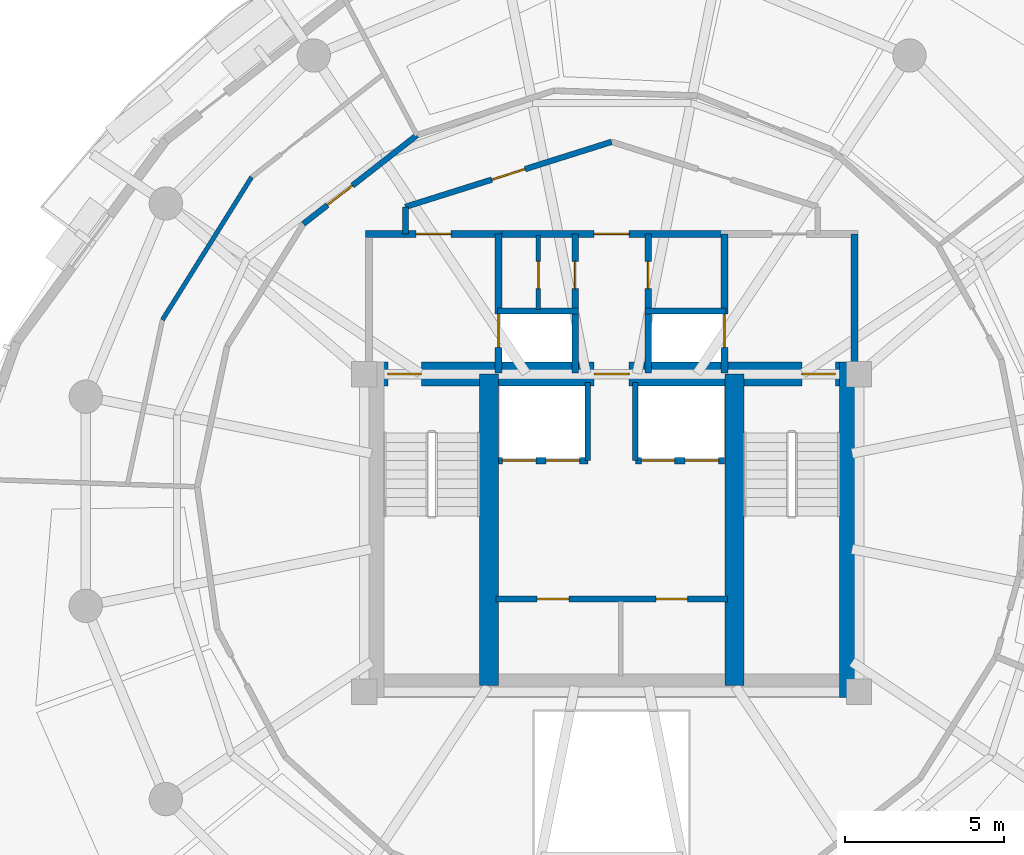
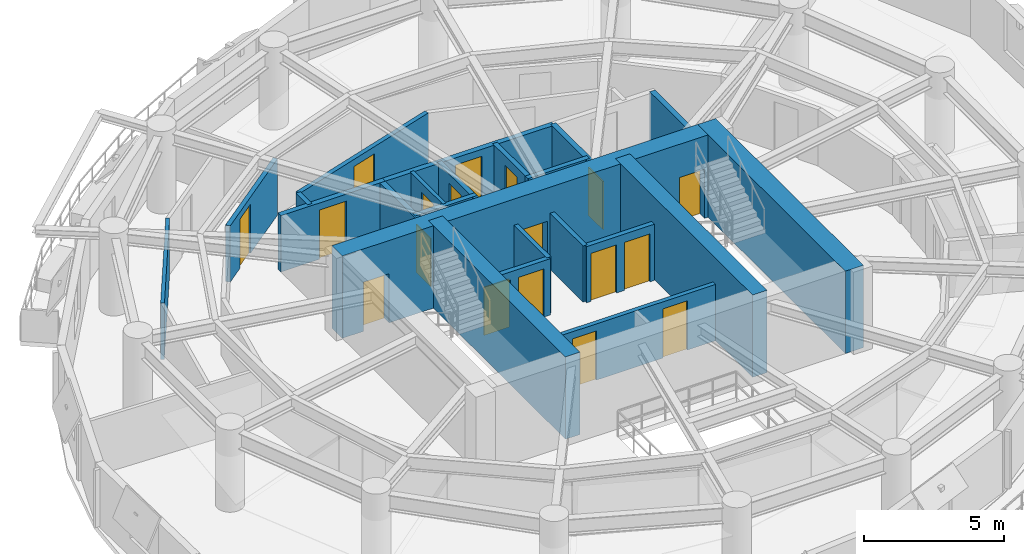
# One storey, part 8 of 12: 23 walls, 18 doors, 18 openings.
"""IFC4 building model written with IfcOpenShell, lengths in metres."""

from ifc_helpers import new_model, si_unit, direction, frame, frame_2d, origin, place, context, subcontext, project, spatial, rectangle, extrude, material, layer, layer_set, type_object, element, fill, save


model = new_model("IFC4")

# Units and contexts
model_context = context("Model", 3, precision=1e-05, world=origin(), true_north=direction((0.0, 1.0)))
body_context = subcontext(model_context, "Body", "Model", "MODEL_VIEW")
ifc_project = project(units=[si_unit("LENGTHUNIT", "METRE"), si_unit("AREAUNIT", "SQUARE_METRE"), si_unit("VOLUMEUNIT", "CUBIC_METRE"), si_unit("PLANEANGLEUNIT", "RADIAN"), si_unit("MASSUNIT", "GRAM", prefix="KILO"), si_unit("THERMODYNAMICTEMPERATUREUNIT", "KELVIN"), si_unit("POWERUNIT", "WATT")], contexts=[model_context])

# Site, building, storey
site_placement = place(None, origin())
site = spatial("IfcSite", under=ifc_project, at=site_placement, CompositionType="ELEMENT")
building_placement = place(site_placement, origin())
building = spatial("IfcBuilding", under=site, at=building_placement, Name="Ocrelia Relay Tower", CompositionType="ELEMENT")
storey_placement = place(building_placement, frame((0.0, 0.0, 191.60009765625)))
storey = spatial("IfcBuildingStorey", under=building, at=storey_placement, Name="L46", CompositionType="ELEMENT", Elevation=191.60009765625)

# Wall, openings, doors
ifc_material_1 = material(Name="Concrete C60/75", Category="concrete")
ifc_layer_1 = layer(ifc_material_1, 0.75, Name="Concrete C60/75")
ifc_layer_set_1 = layer_set([ifc_layer_1], Name="Concrete C60/75")
wall_type_1 = type_object("IfcWallType", Name="CW-CORE-750", PredefinedType="SHEAR", material=ifc_layer_set_1)
wall_1_placement = place(storey_placement, frame((26.072021484375, 30.012939453125, 0.0), z_axis=(0.0, 0.0, 1.0), x_axis=(1.0, 0.0, 0.0)))
wall_1 = element("IfcWall", 1, at=wall_1_placement, inside=storey, type_object=wall_type_1, Name="L46 Core Shear Wall N", PredefinedType="SHEAR", context=body_context, shape_type="SweptSolid", body=[
    extrude(rectangle(XDim=15.865966796875, YDim=0.75, at=frame_2d((7.93310546875, 0.0))), origin(), (0.0, 0.0, 1.0), 3.599853515625),
])
opening_1_placement = place(wall_1_placement, frame((0.8779296875, 0.0, 0.0)))
opening_1 = element("IfcOpeningElement", 2, at=opening_1_placement, cuts=wall_1, Name="Opening D-FD90", PredefinedType="OPENING", context=body_context, shape_type="SweptSolid", body=[
    extrude(rectangle(XDim=1.050048828125, YDim=2.14990234375, at=frame_2d((0.52490234375, 1.074951171875))), frame((0.0, 0.385009765625, 0.0), z_axis=(0.0, -1.0, 0.0), x_axis=(1.0, 0.0, 0.0)), (0.0, 0.0, 1.0), 0.77001953125),
])
opening_2_placement = place(wall_1_placement, frame((13.927978515625, 0.0, 0.0)))
opening_2 = element("IfcOpeningElement", 3, at=opening_2_placement, cuts=wall_1, Name="Opening D-FD90", PredefinedType="OPENING", context=body_context, shape_type="SweptSolid", body=[
    extrude(rectangle(XDim=1.050048828125, YDim=2.14990234375, at=frame_2d((0.52490234375, 1.074951171875))), frame((0.0, 0.385009765625, 0.0), z_axis=(0.0, -1.0, 0.0), x_axis=(1.0, 0.0, 0.0)), (0.0, 0.0, 1.0), 0.77001953125),
])
opening_3_placement = place(wall_1_placement, frame((7.3779296875, 0.0, 0.0)))
opening_3 = element("IfcOpeningElement", 4, at=opening_3_placement, cuts=wall_1, Name="Opening D-FD60", PredefinedType="OPENING", context=body_context, shape_type="SweptSolid", body=[
    extrude(rectangle(XDim=1.10009765625, YDim=2.14990234375, at=frame_2d((0.550048828125, 1.074951171875))), frame((0.0, 0.385009765625, 0.0), z_axis=(0.0, -1.0, 0.0), x_axis=(1.0, 0.0, 0.0)), (0.0, 0.0, 1.0), 0.77001953125),
])
ifc_material_2 = material(Name="Timber-core 60-min acoustic fire door", Category="wood")
door_type_1 = type_object("IfcDoorType", Name="DR-LOBBY-FD60-1100", OperationType="NOTDEFINED", PredefinedType="DOOR", material=ifc_material_2)
door_1_placement = place(opening_3_placement, origin())
door_1 = element("IfcDoor", 5, at=door_1_placement, inside=storey, type_object=door_type_1, Name="L46 Core Lift Lobby North Fire Door", OperationType="SINGLE_SWING_LEFT", OverallHeight=2.14990234375, OverallWidth=1.10009765625, PredefinedType="DOOR", context=body_context, shape_type="SweptSolid", body=[
    extrude(rectangle(XDim=1.10009765625, YDim=2.14990234375, at=frame_2d((0.550048828125, 1.074951171875))), frame((0.0, 0.02490234375, 0.0), z_axis=(0.0, -1.0, 0.0), x_axis=(1.0, 0.0, 0.0)), (0.0, 0.0, 1.0), 0.050048828125),
])
fill(opening_3, door_1)
ifc_material_3 = material(Name="Steel S355 90-min fire door", Category="steel")
door_type_2 = type_object("IfcDoorType", Name="DR-STAIR-FD90-1050", OperationType="NOTDEFINED", PredefinedType="DOOR", material=ifc_material_3)
door_2_placement = place(opening_1_placement, origin())
door_2 = element("IfcDoor", 6, at=door_2_placement, inside=storey, type_object=door_type_2, Name="L46 Stair ST1 Fire Door", OperationType="SINGLE_SWING_LEFT", OverallHeight=2.14990234375, OverallWidth=1.050048828125, PredefinedType="DOOR", context=body_context, shape_type="SweptSolid", body=[
    extrude(rectangle(XDim=1.050048828125, YDim=2.14990234375, at=frame_2d((0.52490234375, 1.074951171875))), frame((0.0, 0.02490234375, 0.0), z_axis=(0.0, -1.0, 0.0), x_axis=(1.0, 0.0, 0.0)), (0.0, 0.0, 1.0), 0.050048828125),
])
fill(opening_1, door_2)
door_3_placement = place(opening_2_placement, origin())
door_3 = element("IfcDoor", 7, at=door_3_placement, inside=storey, type_object=door_type_2, Name="L46 Stair ST2 Fire Door", OperationType="SINGLE_SWING_RIGHT", OverallHeight=2.14990234375, OverallWidth=1.050048828125, PredefinedType="DOOR", context=body_context, shape_type="SweptSolid", body=[
    extrude(rectangle(XDim=1.050048828125, YDim=2.14990234375, at=frame_2d((0.52490234375, 1.074951171875))), frame((0.0, 0.02490234375, 0.0), z_axis=(0.0, -1.0, 0.0), x_axis=(1.0, 0.0, 0.0)), (0.0, 0.0, 1.0), 0.050048828125),
])
fill(opening_2, door_3)

# Walls
wall_2_placement = place(storey_placement, frame((41.56298828125, 19.81201171875, 0.0), z_axis=(0.0, 0.0, 1.0), x_axis=(0.0, 1.0, 0.0)))
element("IfcWall", 8, at=wall_2_placement, inside=storey, type_object=wall_type_1, Name="L46 Core Shear Wall E", PredefinedType="SHEAR", context=body_context, shape_type="SweptSolid", body=[
    extrude(rectangle(XDim=10.575927734375, YDim=0.75, at=frame_2d((5.2880859375, 0.0))), origin(), (0.0, 0.0, 1.0), 3.599853515625),
])
for number, where, z_axis, x_axis, name in (
    (9, (30.137939453125, 20.18701171875, 0.0), (0.0, 0.0, 1.0), (0.0, 1.0, 0.0), "L46 Core Shear Wall SPW"),
    (10, (37.8720703125, 20.18701171875, 0.0), (0.0, 0.0, 1.0), (0.0, 1.0, 0.0), "L46 Core Shear Wall SPE"),
):
    element("IfcWall", number, at=place(storey_placement, frame(where, z_axis=z_axis, x_axis=x_axis)), inside=storey, type_object=wall_type_1, Name=name, PredefinedType="SHEAR", context=body_context, shape_type="SweptSolid", body=[
        extrude(rectangle(XDim=9.825927734375, YDim=0.60009765625, at=frame_2d((4.9130859375, 0.0))), origin(), (0.0, 0.0, 1.0), 3.599853515625),
    ])

# Wall, openings, doors
ifc_material_4 = material(Name="Gypsum Fireboard Partition EI60", Category="gypsum")
ifc_layer_2 = layer(ifc_material_4, 0.179931640625, Name="Gypsum Fireboard Partition EI60")
ifc_layer_set_2 = layer_set([ifc_layer_2], Name="Gypsum Fireboard Partition EI60")
wall_type_2 = type_object("IfcWallType", Name="W-CORR-EI60-180", PredefinedType="PARTITIONING", material=ifc_layer_set_2)
wall_3_placement = place(storey_placement, frame((30.35009765625, 22.919921875, 0.0), z_axis=(0.0, 0.0, 1.0), x_axis=(1.0, 0.0, 0.0)))
wall_3 = element("IfcWall", 11, at=wall_3_placement, inside=storey, type_object=wall_type_2, Name="L46 Reclaimed Core Room Partition", PredefinedType="PARTITIONING", context=body_context, shape_type="SweptSolid", body=[
    extrude(rectangle(XDim=7.2998046875, YDim=0.179931640625, at=frame_2d((3.64990234375, 0.0))), origin(), (0.0, 0.0, 1.0), 2.4599609375),
])
opening_4_placement = place(wall_3_placement, frame((1.300048828125, 0.0, 0.0)))
opening_4 = element("IfcOpeningElement", 12, at=opening_4_placement, cuts=wall_3, Name="Opening D-RM100", PredefinedType="OPENING", context=body_context, shape_type="SweptSolid", body=[
    extrude(rectangle(XDim=1.0, YDim=2.14990234375, at=frame_2d((0.5, 1.074951171875))), frame((0.0, 0.10009765625, 0.0), z_axis=(0.0, -1.0, 0.0), x_axis=(1.0, 0.0, 0.0)), (0.0, 0.0, 1.0), 0.199951171875),
])
opening_5_placement = place(wall_3_placement, frame((5.050048828125, 0.0, 0.0)))
opening_5 = element("IfcOpeningElement", 13, at=opening_5_placement, cuts=wall_3, Name="Opening D-RM100", PredefinedType="OPENING", context=body_context, shape_type="SweptSolid", body=[
    extrude(rectangle(XDim=1.0, YDim=2.14990234375, at=frame_2d((0.5, 1.074951171875))), frame((0.0, 0.10009765625, 0.0), z_axis=(0.0, -1.0, 0.0), x_axis=(1.0, 0.0, 0.0)), (0.0, 0.0, 1.0), 0.199951171875),
])
ifc_material_5 = material(Name="Acoustic oak veneer fire door", Category="wood")
door_type_3 = type_object("IfcDoorType", Name="DR-ROOM-FD60-1000", OperationType="NOTDEFINED", PredefinedType="DOOR", material=ifc_material_5)
door_4_placement = place(opening_4_placement, origin())
door_4 = element("IfcDoor", 14, at=door_4_placement, inside=storey, type_object=door_type_3, Name="L46 Reclaimed Core Room 1 Door", OperationType="SINGLE_SWING_RIGHT", OverallHeight=2.14990234375, OverallWidth=1.0, PredefinedType="DOOR", context=body_context, shape_type="SweptSolid", body=[
    extrude(rectangle(XDim=1.0, YDim=2.14990234375, at=frame_2d((0.5, 1.074951171875))), frame((0.0, 0.02490234375, 0.0), z_axis=(0.0, -1.0, 0.0), x_axis=(1.0, 0.0, 0.0)), (0.0, 0.0, 1.0), 0.050048828125),
])
fill(opening_4, door_4)
door_5_placement = place(opening_5_placement, origin())
door_5 = element("IfcDoor", 15, at=door_5_placement, inside=storey, type_object=door_type_3, Name="L46 Reclaimed Core Room 2 Door", OperationType="SINGLE_SWING_LEFT", OverallHeight=2.14990234375, OverallWidth=1.0, PredefinedType="DOOR", context=body_context, shape_type="SweptSolid", body=[
    extrude(rectangle(XDim=1.0, YDim=2.14990234375, at=frame_2d((0.5, 1.074951171875))), frame((0.0, 0.02490234375, 0.0), z_axis=(0.0, -1.0, 0.0), x_axis=(1.0, 0.0, 0.0)), (0.0, 0.0, 1.0), 0.050048828125),
])
fill(opening_5, door_5)

# Wall
wall_4_placement = place(storey_placement, frame((27.5, 34.429931640625, 0.0), z_axis=(0.0, 0.0, 1.0), x_axis=(0.0, 1.0, 0.0)))
element("IfcWall", 16, at=wall_4_placement, inside=storey, type_object=wall_type_2, Name="L46 Smoke Lobby West Return", PredefinedType="PARTITIONING", context=body_context, shape_type="SweptSolid", body=[
    extrude(rectangle(XDim=0.85009765625, YDim=0.179931640625, at=frame_2d((0.425048828125, 0.0))), origin(), (0.0, 0.0, 1.0), 2.4599609375),
])

# Wall, opening, door
wall_5_placement = place(storey_placement, frame((27.5, 35.280029296875, 0.0), z_axis=(0.0, 0.0, 1.0), x_axis=(0.953691418528, 0.300786765376, 0.0)))
wall_5 = element("IfcWall", 17, at=wall_5_placement, inside=storey, type_object=wall_type_2, Name="L46 North Smoke Lobby W Screen Wall", PredefinedType="PARTITIONING", context=body_context, shape_type="SweptSolid", body=[
    extrude(rectangle(XDim=6.815673828125, YDim=0.179931640625, at=frame_2d((3.40771484375, 0.0))), origin(), (0.0, 0.0, 1.0), 2.4599609375),
])
opening_6_placement = place(wall_5_placement, frame((2.85791015625, 0.0, 0.0)))
opening_6 = element("IfcOpeningElement", 18, at=opening_6_placement, cuts=wall_5, Name="Opening D-FD60", PredefinedType="OPENING", context=body_context, shape_type="SweptSolid", body=[
    extrude(rectangle(XDim=1.10009765625, YDim=2.14990234375, at=frame_2d((0.550048828125, 1.074951171875))), frame((0.0, 0.10009765625, 0.0), z_axis=(0.0, -1.0, 0.0), x_axis=(1.0, 0.0, 0.0)), (0.0, 0.0, 1.0), 0.199951171875),
])
door_6_placement = place(opening_6_placement, origin())
door_6 = element("IfcDoor", 19, at=door_6_placement, inside=storey, type_object=door_type_1, Name="L46 North Smoke Lobby W Fire Door", OperationType="SINGLE_SWING_RIGHT", OverallHeight=2.14990234375, OverallWidth=1.10009765625, PredefinedType="DOOR", context=body_context, shape_type="SweptSolid", body=[
    extrude(rectangle(XDim=1.10009765625, YDim=2.14990234375, at=frame_2d((0.550048828125, 1.074951171875))), frame((0.0, 0.02490234375, 0.0), z_axis=(0.0, -1.0, 0.0), x_axis=(1.0, 0.0, 0.0)), (0.0, 0.0, 1.0), 0.050048828125),
])
fill(opening_6, door_6)

wall_6_placement = place(storey_placement, frame((27.864013671875, 37.5400390625, 0.0), z_axis=(0.0, 0.0, 1.0), x_axis=(-0.788026820044, -0.61564091067, 0.0)))
wall_6 = element("IfcWall", 20, at=wall_6_placement, inside=storey, type_object=wall_type_2, Name="L46 Executive Reading Study Corridor Partition 1", PredefinedType="PARTITIONING", context=body_context, shape_type="SweptSolid", body=[
    extrude(rectangle(XDim=4.5390625, YDim=0.179931640625, at=frame_2d((2.26953125, 0.0))), origin(), (0.0, 0.0, 1.0), 2.4599609375),
])
opening_7_placement = place(wall_6_placement, frame((2.579345703125, 0.0, 0.0)))
opening_7 = element("IfcOpeningElement", 21, at=opening_7_placement, cuts=wall_6, Name="Opening D-RM100", PredefinedType="OPENING", context=body_context, shape_type="SweptSolid", body=[
    extrude(rectangle(XDim=1.0, YDim=2.14990234375, at=frame_2d((0.5, 1.074951171875))), frame((0.0, 0.10009765625, 0.0), z_axis=(0.0, -1.0, 0.0), x_axis=(1.0, 0.0, 0.0)), (0.0, 0.0, 1.0), 0.199951171875),
])
door_7_placement = place(opening_7_placement, origin())
door_7 = element("IfcDoor", 22, at=door_7_placement, inside=storey, type_object=door_type_3, Name="L46 Executive Reading Study Entrance Door", OperationType="SINGLE_SWING_RIGHT", OverallHeight=2.14990234375, OverallWidth=1.0, PredefinedType="DOOR", context=body_context, shape_type="SweptSolid", body=[
    extrude(rectangle(XDim=1.0, YDim=2.14990234375, at=frame_2d((0.5, 1.074951171875))), frame((0.0, 0.02490234375, 0.0), z_axis=(0.0, -1.0, 0.0), x_axis=(1.0, 0.0, 0.0)), (0.0, 0.0, 1.0), 0.050048828125),
])
fill(opening_7, door_7)

ifc_material_6 = material(Name="Concrete C50/60", Category="concrete")
ifc_layer_3 = layer(ifc_material_6, 0.219970703125, Name="Concrete C50/60")
ifc_layer_set_3 = layer_set([ifc_layer_3], Name="Concrete C50/60")
wall_type_3 = type_object("IfcWallType", Name="W-FFL-EI120-220", PredefinedType="SOLIDWALL", material=ifc_layer_set_3)
wall_7_placement = place(storey_placement, frame((30.43994140625, 30.050048828125, 0.0), z_axis=(0.0, 0.0, 1.0), x_axis=(0.0, 1.0, 0.0)))
wall_7 = element("IfcWall", 23, at=wall_7_placement, inside=storey, type_object=wall_type_3, Name="L46 W Fire Service Lift Lobby East Wall", PredefinedType="SOLIDWALL", context=body_context, shape_type="SweptSolid", body=[
    extrude(rectangle(XDim=4.3798828125, YDim=0.219970703125, at=frame_2d((2.18994140625, 0.0))), origin(), (0.0, 0.0, 1.0), 2.4599609375),
])
opening_8_placement = place(wall_7_placement, frame((0.800048828125, 0.0, 0.0)))
opening_8 = element("IfcOpeningElement", 24, at=opening_8_placement, cuts=wall_7, Name="Opening LD-FFL1", PredefinedType="OPENING", context=body_context, shape_type="SweptSolid", body=[
    extrude(rectangle(XDim=1.050048828125, YDim=2.10009765625, at=frame_2d((0.52490234375, 1.050048828125))), frame((0.0, 0.1201171875, 0.0), z_axis=(0.0, -1.0, 0.0), x_axis=(1.0, 0.0, 0.0)), (0.0, 0.0, 1.0), 0.239990234375),
])
ifc_material_7 = material(Name="Brushed stainless steel S355 lift landing door", Category="steel")
door_type_4 = type_object("IfcDoorType", Name="DR-LIFT-LAND-1050", OperationType="DOUBLE_DOOR_SLIDING", PredefinedType="USERDEFINED", material=ifc_material_7)
door_8_placement = place(opening_8_placement, origin())
door_8 = element("IfcDoor", 25, at=door_8_placement, inside=storey, type_object=door_type_4, Name="L46 Firefighting Lift FFL1 Sliding Landing Door", ObjectType="LANDING DOOR", OperationType="DOUBLE_DOOR_SLIDING", OverallHeight=2.10009765625, OverallWidth=1.050048828125, PredefinedType="USERDEFINED", context=body_context, shape_type="SweptSolid", body=[
    extrude(rectangle(XDim=1.050048828125, YDim=2.10009765625, at=frame_2d((0.52490234375, 1.050048828125))), frame((0.0, 0.02490234375, 0.0), z_axis=(0.0, -1.0, 0.0), x_axis=(1.0, 0.0, 0.0)), (0.0, 0.0, 1.0), 0.050048828125),
])
fill(opening_8, door_8)

wall_8_placement = place(storey_placement, frame((26.239990234375, 34.429931640625, 0.0), z_axis=(0.0, 0.0, 1.0), x_axis=(1.0, 0.0, 0.0)))
wall_8 = element("IfcWall", 26, at=wall_8_placement, inside=storey, type_object=wall_type_3, Name="L46 W Fire Service Lift Lobby North Wall", PredefinedType="SOLIDWALL", context=body_context, shape_type="SweptSolid", body=[
    extrude(rectangle(XDim=4.31005859375, YDim=0.219970703125, at=frame_2d((2.155029296875, 0.0))), origin(), (0.0, 0.0, 1.0), 2.4599609375),
])
opening_9_placement = place(wall_8_placement, frame((1.60009765625, 0.0, 0.0)))
opening_9 = element("IfcOpeningElement", 27, at=opening_9_placement, cuts=wall_8, Name="Opening D-FD60", PredefinedType="OPENING", context=body_context, shape_type="SweptSolid", body=[
    extrude(rectangle(XDim=1.10009765625, YDim=2.14990234375, at=frame_2d((0.550048828125, 1.074951171875))), frame((0.0, 0.1201171875, 0.0), z_axis=(0.0, -1.0, 0.0), x_axis=(1.0, 0.0, 0.0)), (0.0, 0.0, 1.0), 0.239990234375),
])
door_9_placement = place(opening_9_placement, origin())
door_9 = element("IfcDoor", 28, at=door_9_placement, inside=storey, type_object=door_type_1, Name="L46 W Fire Service Lift Lobby Exit Door", OperationType="SINGLE_SWING_RIGHT", OverallHeight=2.14990234375, OverallWidth=1.10009765625, PredefinedType="DOOR", context=body_context, shape_type="SweptSolid", body=[
    extrude(rectangle(XDim=1.10009765625, YDim=2.14990234375, at=frame_2d((0.550048828125, 1.074951171875))), frame((0.0, 0.02490234375, 0.0), z_axis=(0.0, -1.0, 0.0), x_axis=(1.0, 0.0, 0.0)), (0.0, 0.0, 1.0), 0.050048828125),
])
fill(opening_9, door_9)

wall_9_placement = place(storey_placement, frame((37.56005859375, 30.050048828125, 0.0), z_axis=(0.0, 0.0, 1.0), x_axis=(0.0, 1.0, 0.0)))
wall_9 = element("IfcWall", 29, at=wall_9_placement, inside=storey, type_object=wall_type_3, Name="L46 E Fire Service Lift Lobby West Wall", PredefinedType="SOLIDWALL", context=body_context, shape_type="SweptSolid", body=[
    extrude(rectangle(XDim=4.3798828125, YDim=0.219970703125, at=frame_2d((2.18994140625, 0.0))), origin(), (0.0, 0.0, 1.0), 2.4599609375),
])
opening_10_placement = place(wall_9_placement, frame((0.800048828125, 0.0, 0.0)))
opening_10 = element("IfcOpeningElement", 30, at=opening_10_placement, cuts=wall_9, Name="Opening LD-FFL2", PredefinedType="OPENING", context=body_context, shape_type="SweptSolid", body=[
    extrude(rectangle(XDim=1.050048828125, YDim=2.10009765625, at=frame_2d((0.52490234375, 1.050048828125))), frame((0.0, 0.1201171875, 0.0), z_axis=(0.0, -1.0, 0.0), x_axis=(1.0, 0.0, 0.0)), (0.0, 0.0, 1.0), 0.239990234375),
])
door_10_placement = place(opening_10_placement, origin())
door_10 = element("IfcDoor", 31, at=door_10_placement, inside=storey, type_object=door_type_4, Name="L46 Firefighting Lift FFL2 Sliding Landing Door", ObjectType="LANDING DOOR", OperationType="DOUBLE_DOOR_SLIDING", OverallHeight=2.10009765625, OverallWidth=1.050048828125, PredefinedType="USERDEFINED", context=body_context, shape_type="SweptSolid", body=[
    extrude(rectangle(XDim=1.050048828125, YDim=2.10009765625, at=frame_2d((0.52490234375, 1.050048828125))), frame((0.0, 0.02490234375, 0.0), z_axis=(0.0, -1.0, 0.0), x_axis=(1.0, 0.0, 0.0)), (0.0, 0.0, 1.0), 0.050048828125),
])
fill(opening_10, door_10)

# Wall
wall_10_placement = place(storey_placement, frame((41.64990234375, 30.050048828125, 0.0), z_axis=(0.0, 0.0, 1.0), x_axis=(0.0, 1.0, 0.0)))
element("IfcWall", 32, at=wall_10_placement, inside=storey, type_object=wall_type_3, Name="L46 E Fire Service Lift Lobby East Wall", PredefinedType="SOLIDWALL", context=body_context, shape_type="SweptSolid", body=[
    extrude(rectangle(XDim=4.3798828125, YDim=0.219970703125, at=frame_2d((2.18994140625, 0.0))), origin(), (0.0, 0.0, 1.0), 2.4599609375),
])

# Wall, opening, door
wall_11_placement = place(storey_placement, frame((30.43994140625, 34.429931640625, 0.0), z_axis=(0.0, 0.0, 1.0), x_axis=(1.0, 0.0, 0.0)))
wall_11 = element("IfcWall", 33, at=wall_11_placement, inside=storey, type_object=wall_type_3, Name="L46 North Core Vestibule Wall", PredefinedType="SOLIDWALL", context=body_context, shape_type="SweptSolid", body=[
    extrude(rectangle(XDim=7.1201171875, YDim=0.219970703125, at=frame_2d((3.56005859375, 0.0))), origin(), (0.0, 0.0, 1.0), 2.4599609375),
])
opening_11_placement = place(wall_11_placement, frame((3.010009765625, 0.0, 0.0)))
opening_11 = element("IfcOpeningElement", 34, at=opening_11_placement, cuts=wall_11, Name="Opening D-FD60", PredefinedType="OPENING", context=body_context, shape_type="SweptSolid", body=[
    extrude(rectangle(XDim=1.10009765625, YDim=2.14990234375, at=frame_2d((0.550048828125, 1.074951171875))), frame((0.0, 0.1201171875, 0.0), z_axis=(0.0, -1.0, 0.0), x_axis=(1.0, 0.0, 0.0)), (0.0, 0.0, 1.0), 0.239990234375),
])
door_11_placement = place(opening_11_placement, origin())
door_11 = element("IfcDoor", 35, at=door_11_placement, inside=storey, type_object=door_type_1, Name="L46 North Core Vestibule Corridor Door", OperationType="SINGLE_SWING_RIGHT", OverallHeight=2.14990234375, OverallWidth=1.10009765625, PredefinedType="DOOR", context=body_context, shape_type="SweptSolid", body=[
    extrude(rectangle(XDim=1.10009765625, YDim=2.14990234375, at=frame_2d((0.550048828125, 1.074951171875))), frame((0.0, 0.02490234375, 0.0), z_axis=(0.0, -1.0, 0.0), x_axis=(1.0, 0.0, 0.0)), (0.0, 0.0, 1.0), 0.050048828125),
])
fill(opening_11, door_11)

# Wall
ifc_material_8 = material(Name="Acoustic Fireboard Partition EI60", Category="gypsum")
ifc_layer_4 = layer(ifc_material_8, 0.139892578125, Name="Acoustic Fireboard Partition EI60")
ifc_layer_set_4 = layer_set([ifc_layer_4], Name="Acoustic Fireboard Partition EI60")
wall_type_4 = type_object("IfcWallType", Name="W-PART-140", PredefinedType="PARTITIONING", material=ifc_layer_set_4)
wall_12_placement = place(storey_placement, frame((22.652099609375, 36.217529296875, 0.0), z_axis=(0.0, 0.0, 1.0), x_axis=(-0.529928589946, -0.848042268733, 0.0)))
element("IfcWall", 36, at=wall_12_placement, inside=storey, type_object=wall_type_4, Name="L46 Perimeter Executive Reading Study Mid-Ring Partition 2", PredefinedType="PARTITIONING", context=body_context, shape_type="SweptSolid", body=[
    extrude(rectangle(XDim=5.30322265625, YDim=0.139892578125, at=frame_2d((2.651611328125, 0.0))), origin(), (0.0, 0.0, 1.0), 2.4599609375),
])

# Wall, opening, door
ifc_layer_5 = layer(ifc_material_8, 0.14990234375, Name="Acoustic Fireboard Partition EI60")
ifc_layer_set_5 = layer_set([ifc_layer_5], Name="Acoustic Fireboard Partition EI60")
wall_type_5 = type_object("IfcWallType", Name="W-PART-150", PredefinedType="PARTITIONING", material=ifc_layer_set_5)
wall_13_placement = place(storey_placement, frame((31.68994140625, 32.050048828125, 0.0), z_axis=(0.0, 0.0, 1.0), x_axis=(0.0, 1.0, 0.0)))
wall_13 = element("IfcWall", 37, at=wall_13_placement, inside=storey, type_object=wall_type_5, Name="L46 West Core Support Partition", PredefinedType="PARTITIONING", context=body_context, shape_type="SweptSolid", body=[
    extrude(rectangle(XDim=2.329833984375, YDim=0.14990234375, at=frame_2d((1.1650390625, 0.0))), origin(), (0.0, 0.0, 1.0), 2.4599609375),
])
opening_12_placement = place(wall_13_placement, frame((0.64990234375, 0.0, 0.0)))
opening_12 = element("IfcOpeningElement", 38, at=opening_12_placement, cuts=wall_13, Name="Opening D-RS86", PredefinedType="OPENING", context=body_context, shape_type="SweptSolid", body=[
    extrude(rectangle(XDim=0.860107421875, YDim=2.050048828125, at=frame_2d((0.43017578125, 1.02490234375))), frame((0.0, 0.0849609375, 0.0), z_axis=(0.0, -1.0, 0.0), x_axis=(1.0, 0.0, 0.0)), (0.0, 0.0, 1.0), 0.169921875),
])
ifc_material_9 = material(Name="Steel S355 riser access fire door", Category="steel")
door_type_5 = type_object("IfcDoorType", Name="DR-RISER-TRAP-860", OperationType="NOTDEFINED", PredefinedType="TRAPDOOR", material=ifc_material_9)
door_12_placement = place(opening_12_placement, origin())
door_12 = element("IfcDoor", 39, at=door_12_placement, inside=storey, type_object=door_type_5, Name="L46 West Core Store Connecting Door", OperationType="SINGLE_SWING_LEFT", OverallHeight=2.050048828125, OverallWidth=0.860107421875, PredefinedType="TRAPDOOR", context=body_context, shape_type="SweptSolid", body=[
    extrude(rectangle(XDim=0.860107421875, YDim=2.050048828125, at=frame_2d((0.43017578125, 1.02490234375))), frame((0.0, 0.02490234375, 0.0), z_axis=(0.0, -1.0, 0.0), x_axis=(1.0, 0.0, 0.0)), (0.0, 0.0, 1.0), 0.050048828125),
])
fill(opening_12, door_12)

# Wall
ifc_layer_6 = layer(ifc_material_6, 0.199951171875, Name="Concrete C50/60")
ifc_layer_set_6 = layer_set([ifc_layer_6], Name="Concrete C50/60")
wall_type_6 = type_object("IfcWallType", Name="W-SHAFT-EI120-200", PredefinedType="SOLIDWALL", material=ifc_layer_set_6)
wall_14_placement = place(storey_placement, frame((30.39990234375, 32.0, 0.0), z_axis=(0.0, 0.0, 1.0), x_axis=(1.0, 0.0, 0.0)))
element("IfcWall", 40, at=wall_14_placement, inside=storey, type_object=wall_type_6, Name="L46 FFL1 Hoistway North Wall", PredefinedType="SOLIDWALL", context=body_context, shape_type="SweptSolid", body=[
    extrude(rectangle(XDim=2.550048828125, YDim=0.199951171875, at=frame_2d((1.27490234375, 0.0))), origin(), (0.0, 0.0, 1.0), 2.4599609375),
])

# Wall, opening, door
wall_15_placement = place(storey_placement, frame((32.85009765625, 30.050048828125, 0.0), z_axis=(0.0, 0.0, 1.0), x_axis=(0.0, 1.0, 0.0)))
wall_15 = element("IfcWall", 41, at=wall_15_placement, inside=storey, type_object=wall_type_6, Name="L46 FFL1 and Service Vestibule Wall", PredefinedType="SOLIDWALL", context=body_context, shape_type="SweptSolid", body=[
    extrude(rectangle(XDim=4.3798828125, YDim=0.199951171875, at=frame_2d((2.18994140625, 0.0))), origin(), (0.0, 0.0, 1.0), 2.4599609375),
])
opening_13_placement = place(wall_15_placement, frame((2.64990234375, 0.0, 0.0)))
opening_13 = element("IfcOpeningElement", 42, at=opening_13_placement, cuts=wall_15, Name="Opening D-RS86", PredefinedType="OPENING", context=body_context, shape_type="SweptSolid", body=[
    extrude(rectangle(XDim=0.860107421875, YDim=2.050048828125, at=frame_2d((0.43017578125, 1.02490234375))), frame((0.0, 0.10986328125, 0.0), z_axis=(0.0, -1.0, 0.0), x_axis=(1.0, 0.0, 0.0)), (0.0, 0.0, 1.0), 0.219970703125),
])
door_13_placement = place(opening_13_placement, origin())
door_13 = element("IfcDoor", 43, at=door_13_placement, inside=storey, type_object=door_type_5, Name="L46 Core Support Room W Door", OperationType="SINGLE_SWING_LEFT", OverallHeight=2.050048828125, OverallWidth=0.860107421875, PredefinedType="TRAPDOOR", context=body_context, shape_type="SweptSolid", body=[
    extrude(rectangle(XDim=0.860107421875, YDim=2.050048828125, at=frame_2d((0.43017578125, 1.02490234375))), frame((0.0, 0.02490234375, 0.0), z_axis=(0.0, -1.0, 0.0), x_axis=(1.0, 0.0, 0.0)), (0.0, 0.0, 1.0), 0.050048828125),
])
fill(opening_13, door_13)

# Wall
wall_16_placement = place(storey_placement, frame((35.050048828125, 32.0, 0.0), z_axis=(0.0, 0.0, 1.0), x_axis=(1.0, 0.0, 0.0)))
element("IfcWall", 44, at=wall_16_placement, inside=storey, type_object=wall_type_6, Name="L46 FFL2 Hoistway North Wall", PredefinedType="SOLIDWALL", context=body_context, shape_type="SweptSolid", body=[
    extrude(rectangle(XDim=2.550048828125, YDim=0.199951171875, at=frame_2d((1.27490234375, 0.0))), origin(), (0.0, 0.0, 1.0), 2.4599609375),
])

# Wall, opening, door
wall_17_placement = place(storey_placement, frame((35.14990234375, 30.050048828125, 0.0), z_axis=(0.0, 0.0, 1.0), x_axis=(0.0, 1.0, 0.0)))
wall_17 = element("IfcWall", 45, at=wall_17_placement, inside=storey, type_object=wall_type_6, Name="L46 FFL2 and Service Vestibule Wall", PredefinedType="SOLIDWALL", context=body_context, shape_type="SweptSolid", body=[
    extrude(rectangle(XDim=4.3798828125, YDim=0.199951171875, at=frame_2d((2.18994140625, 0.0))), origin(), (0.0, 0.0, 1.0), 2.4599609375),
])
opening_14_placement = place(wall_17_placement, frame((2.64990234375, 0.0, 0.0)))
opening_14 = element("IfcOpeningElement", 46, at=opening_14_placement, cuts=wall_17, Name="Opening D-RS86", PredefinedType="OPENING", context=body_context, shape_type="SweptSolid", body=[
    extrude(rectangle(XDim=0.860107421875, YDim=2.050048828125, at=frame_2d((0.43017578125, 1.02490234375))), frame((0.0, 0.10986328125, 0.0), z_axis=(0.0, -1.0, 0.0), x_axis=(1.0, 0.0, 0.0)), (0.0, 0.0, 1.0), 0.219970703125),
])
door_14_placement = place(opening_14_placement, origin())
door_14 = element("IfcDoor", 47, at=door_14_placement, inside=storey, type_object=door_type_5, Name="L46 Core Support Room E Door", OperationType="SINGLE_SWING_LEFT", OverallHeight=2.050048828125, OverallWidth=0.860107421875, PredefinedType="TRAPDOOR", context=body_context, shape_type="SweptSolid", body=[
    extrude(rectangle(XDim=0.860107421875, YDim=2.050048828125, at=frame_2d((0.43017578125, 1.02490234375))), frame((0.0, 0.02490234375, 0.0), z_axis=(0.0, -1.0, 0.0), x_axis=(1.0, 0.0, 0.0)), (0.0, 0.0, 1.0), 0.050048828125),
])
fill(opening_14, door_14)

# Wall, openings, doors
wall_18_placement = place(storey_placement, frame((30.43994140625, 27.280029296875, 0.0), z_axis=(0.0, 0.0, 1.0), x_axis=(1.0, 0.0, 0.0)))
wall_18 = element("IfcWall", 48, at=wall_18_placement, inside=storey, type_object=wall_type_6, Name="L46 High-Rise Lift Hoistway Wall W", PredefinedType="SOLIDWALL", context=body_context, shape_type="SweptSolid", body=[
    extrude(rectangle(XDim=2.81005859375, YDim=0.199951171875, at=frame_2d((1.405029296875, 0.0))), origin(), (0.0, 0.0, 1.0), 2.4599609375),
])
opening_15_placement = place(wall_18_placement, frame((0.1201171875, 0.0, 0.0)))
opening_15 = element("IfcOpeningElement", 49, at=opening_15_placement, cuts=wall_18, Name="Opening LD-PL5", PredefinedType="OPENING", context=body_context, shape_type="SweptSolid", body=[
    extrude(rectangle(XDim=1.050048828125, YDim=2.10009765625, at=frame_2d((0.52490234375, 1.050048828125))), frame((0.0, 0.10986328125, 0.0), z_axis=(0.0, -1.0, 0.0), x_axis=(1.0, 0.0, 0.0)), (0.0, 0.0, 1.0), 0.219970703125),
])
opening_16_placement = place(wall_18_placement, frame((1.5, 0.0, 0.0)))
opening_16 = element("IfcOpeningElement", 50, at=opening_16_placement, cuts=wall_18, Name="Opening LD-PL6", PredefinedType="OPENING", context=body_context, shape_type="SweptSolid", body=[
    extrude(rectangle(XDim=1.050048828125, YDim=2.10009765625, at=frame_2d((0.52490234375, 1.050048828125))), frame((0.0, 0.10986328125, 0.0), z_axis=(0.0, -1.0, 0.0), x_axis=(1.0, 0.0, 0.0)), (0.0, 0.0, 1.0), 0.219970703125),
])
door_15_placement = place(opening_15_placement, origin())
door_15 = element("IfcDoor", 51, at=door_15_placement, inside=storey, type_object=door_type_4, Name="L46 High-Rise Lift PL5 Sliding Landing Door", ObjectType="LANDING DOOR", OperationType="DOUBLE_DOOR_SLIDING", OverallHeight=2.10009765625, OverallWidth=1.050048828125, PredefinedType="USERDEFINED", context=body_context, shape_type="SweptSolid", body=[
    extrude(rectangle(XDim=1.050048828125, YDim=2.10009765625, at=frame_2d((0.52490234375, 1.050048828125))), frame((0.0, 0.02490234375, 0.0), z_axis=(0.0, -1.0, 0.0), x_axis=(1.0, 0.0, 0.0)), (0.0, 0.0, 1.0), 0.050048828125),
])
fill(opening_15, door_15)
door_16_placement = place(opening_16_placement, origin())
door_16 = element("IfcDoor", 52, at=door_16_placement, inside=storey, type_object=door_type_4, Name="L46 High-Rise Lift PL6 Sliding Landing Door", ObjectType="LANDING DOOR", OperationType="DOUBLE_DOOR_SLIDING", OverallHeight=2.10009765625, OverallWidth=1.050048828125, PredefinedType="USERDEFINED", context=body_context, shape_type="SweptSolid", body=[
    extrude(rectangle(XDim=1.050048828125, YDim=2.10009765625, at=frame_2d((0.52490234375, 1.050048828125))), frame((0.0, 0.02490234375, 0.0), z_axis=(0.0, -1.0, 0.0), x_axis=(1.0, 0.0, 0.0)), (0.0, 0.0, 1.0), 0.050048828125),
])
fill(opening_16, door_16)

# Wall
wall_19_placement = place(storey_placement, frame((33.25, 27.280029296875, 0.0), z_axis=(0.0, 0.0, 1.0), x_axis=(0.0, 1.0, 0.0)))
element("IfcWall", 53, at=wall_19_placement, inside=storey, type_object=wall_type_6, Name="L46 High-Rise Lift Throat Wall W", PredefinedType="SOLIDWALL", context=body_context, shape_type="SweptSolid", body=[
    extrude(rectangle(XDim=2.469970703125, YDim=0.179931640625, at=frame_2d((1.23486328125, 0.0))), origin(), (0.0, 0.0, 1.0), 2.4599609375),
])

# Wall, openings, doors
wall_20_placement = place(storey_placement, frame((34.75, 27.280029296875, 0.0), z_axis=(0.0, 0.0, 1.0), x_axis=(1.0, 0.0, 0.0)))
wall_20 = element("IfcWall", 54, at=wall_20_placement, inside=storey, type_object=wall_type_6, Name="L46 High-Rise Lift Hoistway Wall E", PredefinedType="SOLIDWALL", context=body_context, shape_type="SweptSolid", body=[
    extrude(rectangle(XDim=2.81005859375, YDim=0.199951171875, at=frame_2d((1.405029296875, 0.0))), origin(), (0.0, 0.0, 1.0), 2.4599609375),
])
opening_17_placement = place(wall_20_placement, frame((0.18994140625, 0.0, 0.0)))
opening_17 = element("IfcOpeningElement", 55, at=opening_17_placement, cuts=wall_20, Name="Opening LD-PL7", PredefinedType="OPENING", context=body_context, shape_type="SweptSolid", body=[
    extrude(rectangle(XDim=1.050048828125, YDim=2.10009765625, at=frame_2d((0.52490234375, 1.050048828125))), frame((0.0, 0.10986328125, 0.0), z_axis=(0.0, -1.0, 0.0), x_axis=(1.0, 0.0, 0.0)), (0.0, 0.0, 1.0), 0.219970703125),
])
opening_18_placement = place(wall_20_placement, frame((1.570068359375, 0.0, 0.0)))
opening_18 = element("IfcOpeningElement", 56, at=opening_18_placement, cuts=wall_20, Name="Opening LD-PL8", PredefinedType="OPENING", context=body_context, shape_type="SweptSolid", body=[
    extrude(rectangle(XDim=1.050048828125, YDim=2.10009765625, at=frame_2d((0.52490234375, 1.050048828125))), frame((0.0, 0.10986328125, 0.0), z_axis=(0.0, -1.0, 0.0), x_axis=(1.0, 0.0, 0.0)), (0.0, 0.0, 1.0), 0.219970703125),
])
door_17_placement = place(opening_17_placement, origin())
door_17 = element("IfcDoor", 57, at=door_17_placement, inside=storey, type_object=door_type_4, Name="L46 High-Rise Lift PL7 Sliding Landing Door", ObjectType="LANDING DOOR", OperationType="DOUBLE_DOOR_SLIDING", OverallHeight=2.10009765625, OverallWidth=1.050048828125, PredefinedType="USERDEFINED", context=body_context, shape_type="SweptSolid", body=[
    extrude(rectangle(XDim=1.050048828125, YDim=2.10009765625, at=frame_2d((0.52490234375, 1.050048828125))), frame((0.0, 0.02490234375, 0.0), z_axis=(0.0, -1.0, 0.0), x_axis=(1.0, 0.0, 0.0)), (0.0, 0.0, 1.0), 0.050048828125),
])
fill(opening_17, door_17)
door_18_placement = place(opening_18_placement, origin())
door_18 = element("IfcDoor", 58, at=door_18_placement, inside=storey, type_object=door_type_4, Name="L46 High-Rise Lift PL8 Sliding Landing Door", ObjectType="LANDING DOOR", OperationType="DOUBLE_DOOR_SLIDING", OverallHeight=2.10009765625, OverallWidth=1.050048828125, PredefinedType="USERDEFINED", context=body_context, shape_type="SweptSolid", body=[
    extrude(rectangle(XDim=1.050048828125, YDim=2.10009765625, at=frame_2d((0.52490234375, 1.050048828125))), frame((0.0, 0.02490234375, 0.0), z_axis=(0.0, -1.0, 0.0), x_axis=(1.0, 0.0, 0.0)), (0.0, 0.0, 1.0), 0.050048828125),
])
fill(opening_18, door_18)

# Wall
wall_21_placement = place(storey_placement, frame((34.75, 27.280029296875, 0.0), z_axis=(0.0, 0.0, 1.0), x_axis=(0.0, 1.0, 0.0)))
element("IfcWall", 59, at=wall_21_placement, inside=storey, type_object=wall_type_6, Name="L46 High-Rise Lift Throat Wall E", PredefinedType="SOLIDWALL", context=body_context, shape_type="SweptSolid", body=[
    extrude(rectangle(XDim=2.469970703125, YDim=0.179931640625, at=frame_2d((1.23486328125, 0.0))), origin(), (0.0, 0.0, 1.0), 2.4599609375),
])

save(model, "model.ifc")
